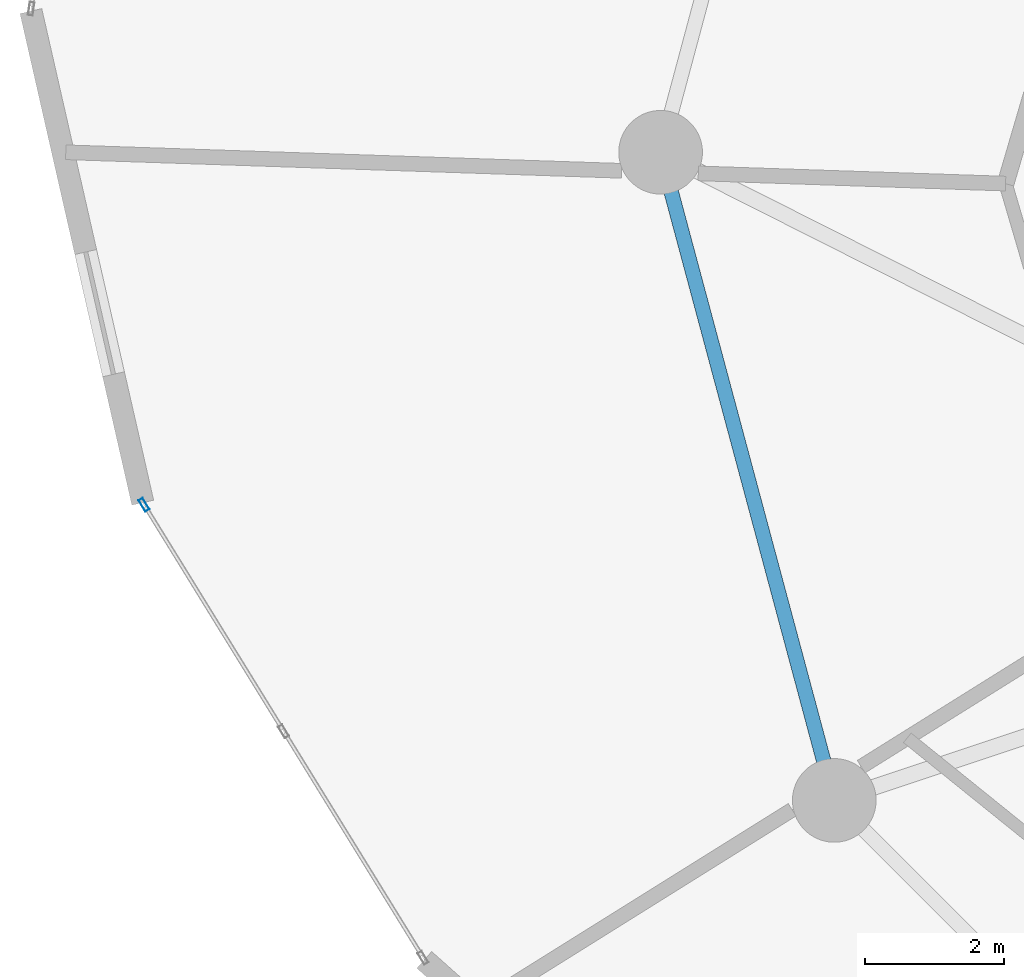
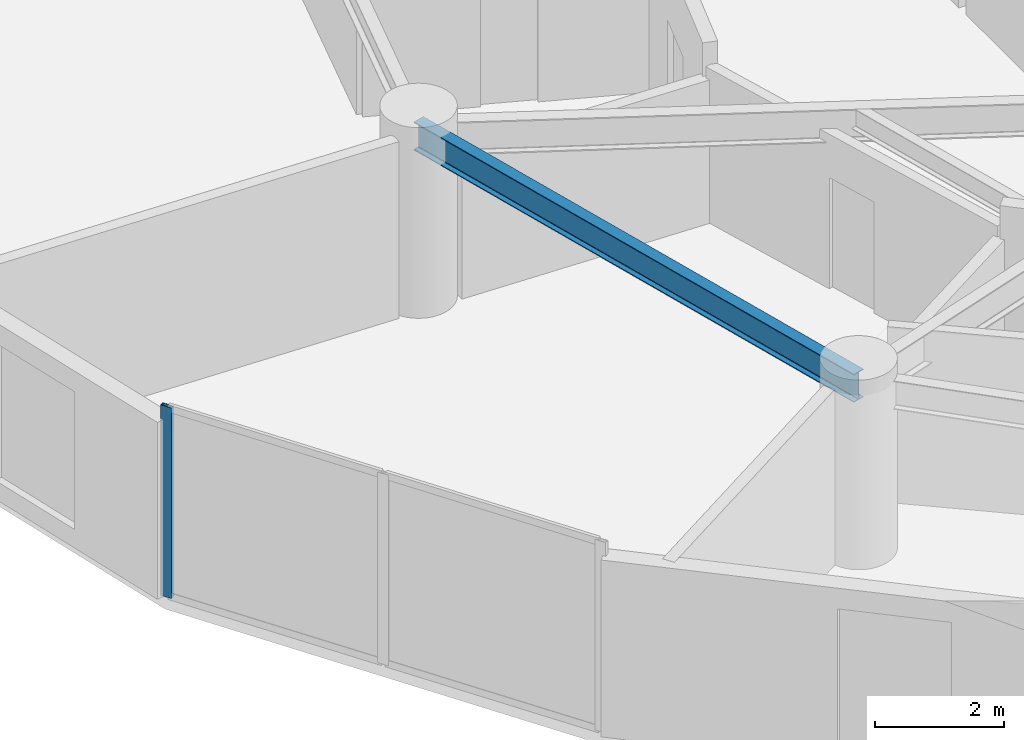
# One storey, part 6 of 26: 1 beam, 1 member, 1 element without a shape of its own.
"""IFC4 building model written with IfcOpenShell, lengths in metres."""

from ifc_helpers import new_model, si_unit, direction, frame, origin, origin_2d, place, context, subcontext, project, spatial, hollow_rectangle, i_section, extrude, source, transform, mapped, material, layer, layer_set, material_profile, profile_set, type_object, element, aggregate, save


model = new_model("IFC4")

# Units and contexts
model_context = context("Model", 3, precision=1e-05, world=origin(), true_north=direction((0.0, 1.0)))
body_context = subcontext(model_context, "Body", "Model", "MODEL_VIEW")
ifc_project = project(units=[si_unit("LENGTHUNIT", "METRE"), si_unit("AREAUNIT", "SQUARE_METRE"), si_unit("VOLUMEUNIT", "CUBIC_METRE"), si_unit("PLANEANGLEUNIT", "RADIAN"), si_unit("MASSUNIT", "GRAM", prefix="KILO")], contexts=[model_context])

# Site, building, storey
site_placement = place(None, origin())
site = spatial("IfcSite", under=ifc_project, at=site_placement, CompositionType="ELEMENT")
building_placement = place(site_placement, origin())
building = spatial("IfcBuilding", under=site, at=building_placement, Name="Solvirekh Grand Hotel", CompositionType="ELEMENT")
storey_placement = place(building_placement, frame((0.0, 0.0, 71.60009765625)))
storey = spatial("IfcBuildingStorey", under=building, at=storey_placement, Name="L17", CompositionType="ELEMENT", Elevation=71.60009765625)

# Beam
ifc_material_1 = material(Name="Steel S355", Category="steel")
ifc_material_profile_1 = material_profile(ifc_material_1, i_section(OverallWidth=0.208984375, OverallDepth=0.532958984375, WebThickness=0.010009765625, FlangeThickness=0.014892578125, FilletRadius=0.013916015625, at=origin_2d()), Name="W530X92")
ifc_profile_set_1 = profile_set([ifc_material_profile_1], Name="Steel S355")
beam_type = type_object("IfcBeamType", Name="Spandrel_Ring_W530", PredefinedType="SPANDREL", material=ifc_profile_set_1)
beam_placement = place(storey_placement, frame((-18.60009765625, 0.0, 3.073974609375), z_axis=(0.258842973314, -0.965919414426, 0.0), x_axis=(0.965919414426, 0.258842973314, 0.0)))
element("IfcBeam", 1, at=beam_placement, inside=storey, type_object=beam_type, Name="L17 perimeter spandrel beam 7", PredefinedType="SPANDREL", context=body_context, shape_type="SweptSolid", body=[
    extrude(i_section(OverallWidth=0.208984375, OverallDepth=0.532958984375, WebThickness=0.010009765625, FlangeThickness=0.014892578125, FilletRadius=0.013916015625, at=origin_2d()), origin(), (0.0, 0.0, 1.0), 9.628173828125),
])

# Curtain wall, member
ifc_material_2 = material(Name="Anodized Bronze Aluminium 6063-T6", Category="aluminium")
ifc_layer = layer(ifc_material_2, 0.18994140625)
ifc_layer_set = layer_set([ifc_layer], Name="Anodized Bronze Aluminium 6063-T6")
curtain_wall_type = type_object("IfcCurtainWallType", Name="CW_Sys2_LowZoneFlushBronzeCW", PredefinedType="NOTDEFINED", material=ifc_layer_set)
curtain_wall_placement = place(storey_placement, origin())
curtain_wall = element("IfcCurtainWall", 2, at=curtain_wall_placement, inside=storey, type_object=curtain_wall_type, Name="L17 unitised bronze-glass curtain wall CW-L17-C13", PredefinedType="NOTDEFINED")
ifc_material_profile_2 = material_profile(ifc_material_2, hollow_rectangle(XDim=0.070068359375, YDim=0.18994140625, WallThickness=0.0048828125, at=origin_2d()), Name="ALU RHS 190X70X5")
ifc_profile_set_2 = profile_set([ifc_material_profile_2], Name="Anodized Bronze Aluminium 6063-T6")
member_type = type_object("IfcMemberType", Name="CWMullion_Sys2", PredefinedType="MULLION", material=ifc_profile_set_2)
shared_shape = source(origin(), body_context, "Body", "SweptSolid", [
    extrude(hollow_rectangle(XDim=0.070068359375, YDim=0.18994140625, WallThickness=0.0048828125, at=origin_2d()), origin(), (0.0, 0.0, 1.0), 3.599853515625),
])
member_placement = place(storey_placement, frame((-26.0126953125, -5.057861328125, 0.0), z_axis=(0.0, 0.0, 1.0), x_axis=(0.851515689405, 0.524329124403, 0.0)))
member = element("IfcMember", 3, at=member_placement, type_object=member_type, Name="U02 mullion 1", PredefinedType="MULLION", context=body_context, shape_type="MappedRepresentation", body=[
    mapped(shared_shape, transform((0.0, 0.0, 0.0), x_axis=(1.0, 0.0, 0.0), y_axis=(0.0, 1.0, 0.0), z_axis=(0.0, 0.0, 1.0), scale=1.0)),
])
aggregate(curtain_wall, [member])

save(model, "model.ifc")
